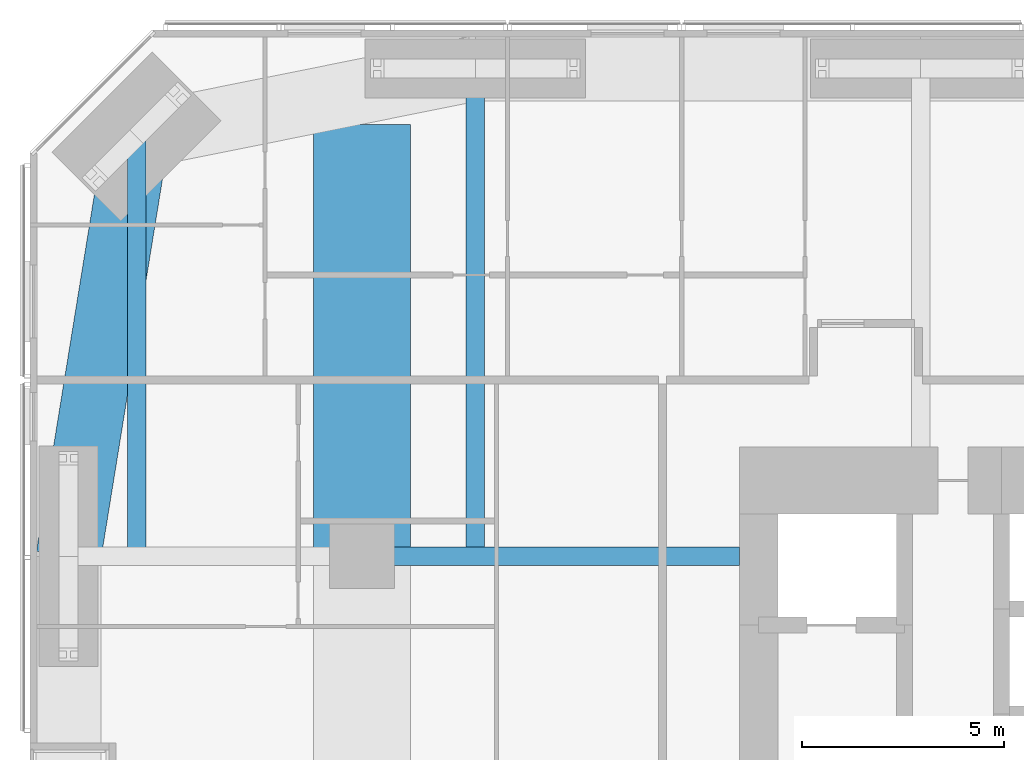
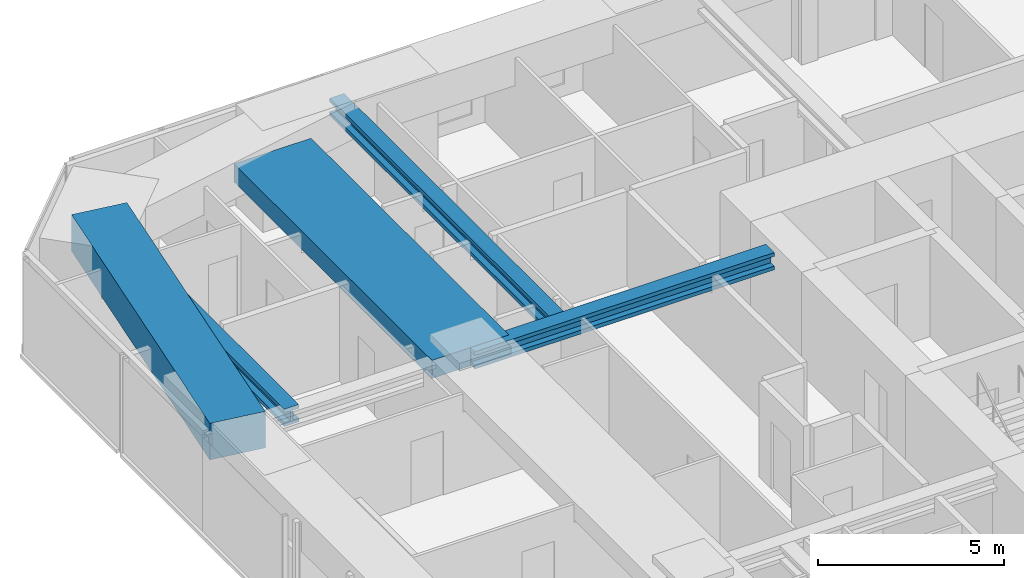
# One storey, part 7 of 23: 5 beams.
"""IFC4 building model written with IfcOpenShell, lengths in metres."""

from ifc_helpers import new_model, si_unit, direction, frame, origin, origin_2d, place, context, subcontext, project, spatial, rectangle, i_section, extrude, material, material_profile, profile_set, type_object, element, save


model = new_model("IFC4")

# Units and contexts
model_context = context("Model", 3, precision=1e-05, world=origin(), true_north=direction((0.0, 1.0)))
body_context = subcontext(model_context, "Body", "Model", "MODEL_VIEW")
ifc_project = project(units=[si_unit("LENGTHUNIT", "METRE"), si_unit("AREAUNIT", "SQUARE_METRE"), si_unit("VOLUMEUNIT", "CUBIC_METRE"), si_unit("PLANEANGLEUNIT", "RADIAN"), si_unit("MASSUNIT", "GRAM", prefix="KILO")], contexts=[model_context])

# Site, building, storey
site_placement = place(None, origin())
site = spatial("IfcSite", under=ifc_project, at=site_placement, CompositionType="ELEMENT")
building_placement = place(site_placement, origin())
building = spatial("IfcBuilding", under=site, at=building_placement, Name="Jalousie Tower", CompositionType="ELEMENT")
storey_placement = place(building_placement, frame((0.0, 0.0, 27.699951171875)))
storey = spatial("IfcBuildingStorey", under=building, at=storey_placement, Name="L06", CompositionType="ELEMENT", Elevation=27.699951171875)

# Beams
ifc_material_1 = material(Name="Steel ASTM A992 Grade 50", Category="steel")
ifc_material_profile_1 = material_profile(ifc_material_1, i_section(OverallWidth=0.45458984375, OverallDepth=0.569091796875, WebThickness=0.077880859375, FlangeThickness=0.124755859375, at=origin_2d()), Name="W14X730")
ifc_profile_set_1 = profile_set([ifc_material_profile_1], Name="Steel ASTM A992 Grade 50")
beam_type_1 = type_object("IfcBeamType", Name="LEAN COLLECTOR W14X730", PredefinedType="BEAM", material=ifc_profile_set_1)
beam_1_placement = place(storey_placement, frame((10.199951171875, 25.0, 2.825439453125), z_axis=(1.0, 0.0, 0.0), x_axis=(0.0, 1.0, 0.0)))
element("IfcBeam", 1, at=beam_1_placement, inside=storey, type_object=beam_type_1, Name="Lean collector under L07", PredefinedType="BEAM", context=body_context, shape_type="SweptSolid", body=[
    extrude(i_section(OverallWidth=0.45458984375, OverallDepth=0.569091796875, WebThickness=0.077880859375, FlangeThickness=0.124755859375, at=origin_2d()), origin(), (0.0, 0.0, 1.0), 9.324951171875),
])
beam_2_placement = place(storey_placement, frame((4.63134765625, 35.36865234375, 2.825439453125), z_axis=(0.0, -1.0, 0.0), x_axis=(1.0, 0.0, 0.0)))
element("IfcBeam", 2, at=beam_2_placement, inside=storey, type_object=beam_type_1, Name="Lean collector under L07", PredefinedType="BEAM", context=body_context, shape_type="SweptSolid", body=[
    extrude(i_section(OverallWidth=0.45458984375, OverallDepth=0.569091796875, WebThickness=0.077880859375, FlangeThickness=0.124755859375, at=origin_2d()), origin(), (0.0, 0.0, 1.0), 10.36865234375),
])
beam_3_placement = place(storey_placement, frame((13.0, 37.050048828125, 2.825439453125), z_axis=(0.0, -1.0, 0.0), x_axis=(1.0, 0.0, 0.0)))
element("IfcBeam", 3, at=beam_3_placement, inside=storey, type_object=beam_type_1, Name="Lean collector under L07", PredefinedType="BEAM", context=body_context, shape_type="SweptSolid", body=[
    extrude(i_section(OverallWidth=0.45458984375, OverallDepth=0.569091796875, WebThickness=0.077880859375, FlangeThickness=0.124755859375, at=origin_2d()), origin(), (0.0, 0.0, 1.0), 12.050048828125),
])
ifc_material_2 = material(Name="Concrete f'c 40 MPa", Category="concrete")
ifc_material_profile_2 = material_profile(ifc_material_2, rectangle(XDim=1.60009765625, YDim=1.199951171875, at=origin_2d()), Name="RC 1600x1200")
ifc_profile_set_2 = profile_set([ifc_material_profile_2], Name="Concrete f'c 40 MPa")
beam_type_2 = type_object("IfcBeamType", Name="RC BEAM 1600x1200", PredefinedType="BEAM", material=ifc_profile_set_2)
beam_4_placement = place(storey_placement, frame((4.63134765625, 35.36865234375, 2.75), z_axis=(-0.160070546476, -0.987105577003, 0.0), x_axis=(0.987105577003, -0.160070546476, 0.0)))
element("IfcBeam", 4, at=beam_4_placement, inside=storey, type_object=beam_type_2, Name="Edge band beam 12-13 under L07", PredefinedType="BEAM", context=body_context, shape_type="SweptSolid", body=[
    extrude(rectangle(XDim=1.60009765625, YDim=1.199951171875, at=origin_2d()), origin(), (0.0, 0.0, 1.0), 10.504150390625),
])
ifc_material_3 = material(Name="Concrete f'c 40 MPa", Category="concrete")
ifc_material_profile_3 = material_profile(ifc_material_3, rectangle(XDim=2.39990234375, YDim=0.60009765625, at=origin_2d()), Name="RC 2400x600")
ifc_profile_set_3 = profile_set([ifc_material_profile_3], Name="Concrete f'c 40 MPa")
beam_type_3 = type_object("IfcBeamType", Name="RC BEAM 2400x600", PredefinedType="BEAM", material=ifc_profile_set_3)
beam_5_placement = place(storey_placement, frame((10.199951171875, 25.0, 2.81005859375), z_axis=(0.0, 1.0, 0.0), x_axis=(-1.0, 0.0, 0.0)))
element("IfcBeam", 5, at=beam_5_placement, inside=storey, type_object=beam_type_3, Name="Floor band beam under L07", PredefinedType="BEAM", context=body_context, shape_type="SweptSolid", body=[
    extrude(rectangle(XDim=2.39990234375, YDim=0.60009765625, at=origin_2d()), origin(), (0.0, 0.0, 1.0), 10.67138671875),
])

save(model, "model.ifc")
